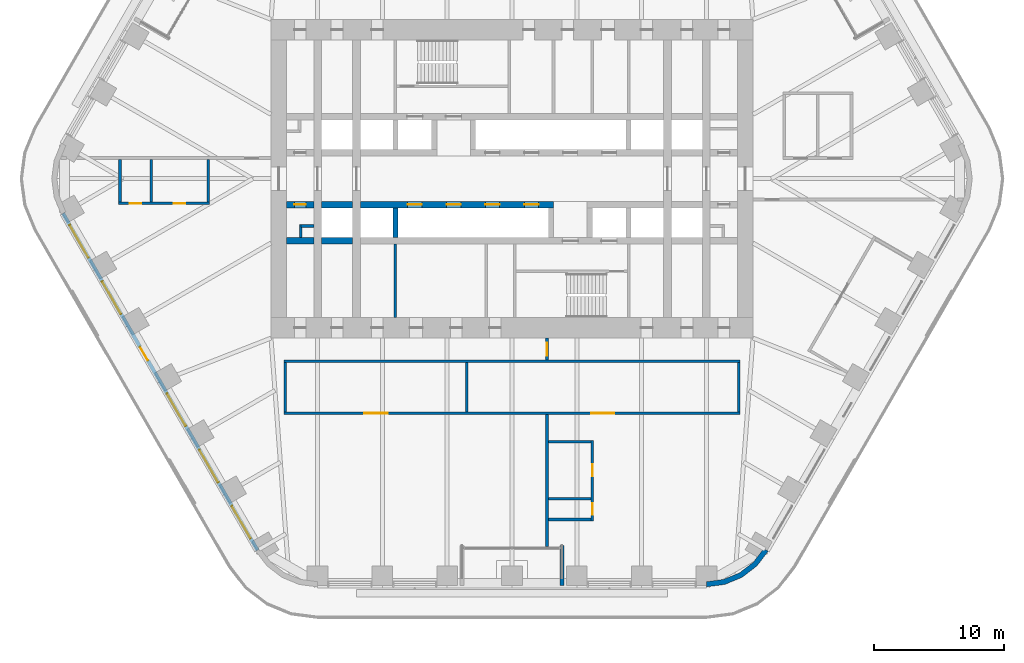
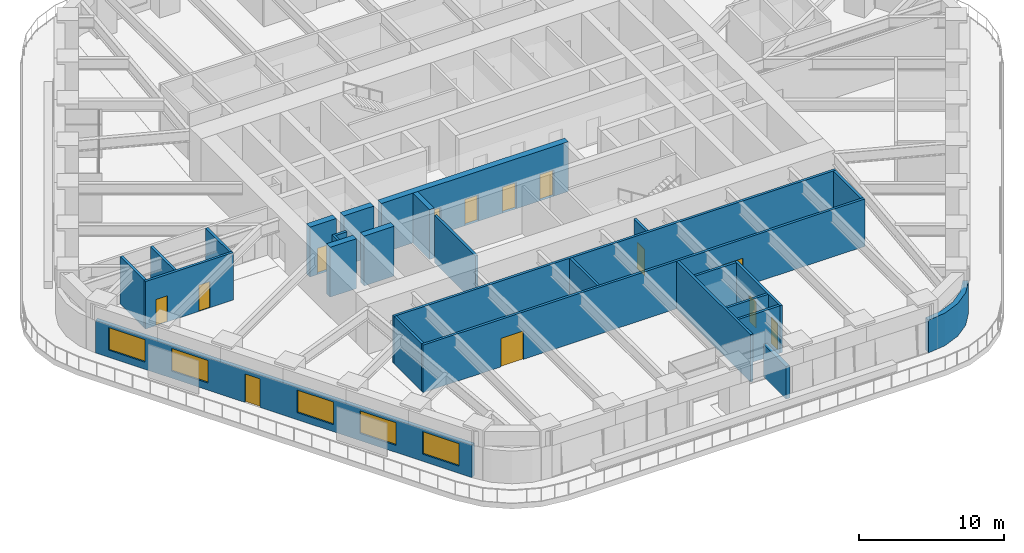
# One storey, part 17 of 24: 27 walls, 13 doors, 5 windows, 18 openings.
"""IFC4 building model written with IfcOpenShell, lengths in metres."""

from ifc_helpers import new_model, si_unit, direction, frame, frame_2d, origin, place, context, subcontext, project, spatial, polyline, rectangle, outline, extrude, material, layer, layer_set, type_object, element, fill, save


model = new_model("IFC4")

# Units and contexts
model_context = context("Model", 3, precision=1e-05, world=origin(), true_north=direction((0.0, 1.0)))
body_context = subcontext(model_context, "Body", "Model", "MODEL_VIEW")
ifc_project = project(units=[si_unit("LENGTHUNIT", "METRE"), si_unit("AREAUNIT", "SQUARE_METRE"), si_unit("VOLUMEUNIT", "CUBIC_METRE"), si_unit("PLANEANGLEUNIT", "RADIAN"), si_unit("MASSUNIT", "GRAM", prefix="KILO")], contexts=[model_context])

# Site, building, storey
site_placement = place(None, origin())
site = spatial("IfcSite", under=ifc_project, at=site_placement, CompositionType="ELEMENT")
building_placement = place(site_placement, origin())
building = spatial("IfcBuilding", under=site, at=building_placement, Name="Tarfa Lantern Tower", CompositionType="ELEMENT")
storey_placement = place(building_placement, frame((0.0, 0.0, 153.10009765625)))
storey = spatial("IfcBuildingStorey", under=building, at=storey_placement, Name="L34", CompositionType="ELEMENT", Elevation=153.10009765625)

# Wall, openings, door, windows
ifc_material_1 = material(Name="Limestone cladding on blockwork", Category="masonry")
ifc_layer_1 = layer(ifc_material_1, 0.300048828125)
ifc_layer_set_1 = layer_set([ifc_layer_1], Name="EW1 STONE-CLAD WALL 300")
wall_type_1 = type_object("IfcWallType", Name="EW1 STONE-CLAD WALL 300", PredefinedType="SOLIDWALL", material=ifc_layer_set_1)
wall_1_placement = place(storey_placement, frame((-34.655517578125, -2.675048828125, 0.0), z_axis=(0.0, 0.0, 1.0), x_axis=(0.500003084452, -0.866023622968, 0.0)))
wall_1 = element("IfcWall", 1, at=wall_1_placement, inside=storey, type_object=wall_type_1, Name="Stone wall SW", PredefinedType="SOLIDWALL", context=body_context, shape_type="SweptSolid", body=[
    extrude(rectangle(XDim=30.022216796875, YDim=0.300048828125, at=frame_2d((15.01123046875, 0.0))), origin(), (0.0, 0.0, 1.0), 2.75),
])
opening_1_placement = place(wall_1_placement, frame((1.0517578125, 0.0, 0.60009765625)))
opening_1 = element("IfcOpeningElement", 2, at=opening_1_placement, cuts=wall_1, Name="Opening W9", PredefinedType="OPENING", context=body_context, shape_type="SweptSolid", body=[
    extrude(rectangle(XDim=2.89990234375, YDim=1.89990234375, at=frame_2d((1.449951171875, 0.949951171875))), frame((0.0, 0.159912109375, 0.0), z_axis=(0.0, -1.0, 0.0), x_axis=(1.0, 0.0, 0.0)), (0.0, 0.0, 1.0), 0.320068359375),
])
opening_2_placement = place(wall_1_placement, frame((6.0556640625, 0.0, 0.60009765625)))
opening_2 = element("IfcOpeningElement", 3, at=opening_2_placement, cuts=wall_1, Name="Opening W9", PredefinedType="OPENING", context=body_context, shape_type="SweptSolid", body=[
    extrude(rectangle(XDim=2.89990234375, YDim=1.89990234375, at=frame_2d((1.449951171875, 0.949951171875))), frame((0.0, 0.159912109375, 0.0), z_axis=(0.0, -1.0, 0.0), x_axis=(1.0, 0.0, 0.0)), (0.0, 0.0, 1.0), 0.320068359375),
])
opening_3_placement = place(wall_1_placement, frame((11.9091796875, 0.0, 0.0)))
opening_3 = element("IfcOpeningElement", 4, at=opening_3_placement, cuts=wall_1, Name="Opening D50", PredefinedType="OPENING", context=body_context, shape_type="SweptSolid", body=[
    extrude(rectangle(XDim=1.199951171875, YDim=2.39990234375, at=frame_2d((0.60009765625, 1.199951171875))), frame((0.0, 0.159912109375, 0.0), z_axis=(0.0, -1.0, 0.0), x_axis=(1.0, 0.0, 0.0)), (0.0, 0.0, 1.0), 0.320068359375),
])
opening_4_placement = place(wall_1_placement, frame((16.06298828125, 0.0, 0.60009765625)))
opening_4 = element("IfcOpeningElement", 5, at=opening_4_placement, cuts=wall_1, Name="Opening W9", PredefinedType="OPENING", context=body_context, shape_type="SweptSolid", body=[
    extrude(rectangle(XDim=2.89990234375, YDim=1.89990234375, at=frame_2d((1.449951171875, 0.949951171875))), frame((0.0, 0.159912109375, 0.0), z_axis=(0.0, -1.0, 0.0), x_axis=(1.0, 0.0, 0.0)), (0.0, 0.0, 1.0), 0.320068359375),
])
opening_5_placement = place(wall_1_placement, frame((21.066650390625, 0.0, 0.60009765625)))
opening_5 = element("IfcOpeningElement", 6, at=opening_5_placement, cuts=wall_1, Name="Opening W9", PredefinedType="OPENING", context=body_context, shape_type="SweptSolid", body=[
    extrude(rectangle(XDim=2.89990234375, YDim=1.89990234375, at=frame_2d((1.449951171875, 0.949951171875))), frame((0.0, 0.159912109375, 0.0), z_axis=(0.0, -1.0, 0.0), x_axis=(1.0, 0.0, 0.0)), (0.0, 0.0, 1.0), 0.320068359375),
])
opening_6_placement = place(wall_1_placement, frame((26.0703125, 0.0, 0.60009765625)))
opening_6 = element("IfcOpeningElement", 7, at=opening_6_placement, cuts=wall_1, Name="Opening W9", PredefinedType="OPENING", context=body_context, shape_type="SweptSolid", body=[
    extrude(rectangle(XDim=2.89990234375, YDim=1.89990234375, at=frame_2d((1.449951171875, 0.949951171875))), frame((0.0, 0.159912109375, 0.0), z_axis=(0.0, -1.0, 0.0), x_axis=(1.0, 0.0, 0.0)), (0.0, 0.0, 1.0), 0.320068359375),
])
ifc_material_2 = material(Name="Aluminium framed glazed door", Category="aluminium")
door_type_1 = type_object("IfcDoorType", Name="BE3 BALCONY DOOR 1200x2400", OperationType="SINGLE_SWING_RIGHT", PredefinedType="DOOR", material=ifc_material_2)
door_1_placement = place(opening_3_placement, origin())
door_1 = element("IfcDoor", 8, at=door_1_placement, inside=storey, type_object=door_type_1, Name="Balcony door SW", OperationType="SINGLE_SWING_RIGHT", OverallHeight=2.39990234375, OverallWidth=1.199951171875, PredefinedType="DOOR", context=body_context, shape_type="SweptSolid", body=[
    extrude(rectangle(XDim=1.199951171875, YDim=2.39990234375, at=frame_2d((0.60009765625, 1.199951171875))), frame((0.0, 0.02490234375, 0.0), z_axis=(0.0, -1.0, 0.0), x_axis=(1.0, 0.0, 0.0)), (0.0, 0.0, 1.0), 0.050048828125),
])
fill(opening_3, door_1)
ifc_material_3 = material(Name="Aluminium frame, double glazed", Category="aluminium")
window_type = type_object("IfcWindowType", Name="W9 FULL-HEIGHT GLAZING 2900x1900", PartitioningType="SINGLE_PANEL", PredefinedType="WINDOW", material=ifc_material_3)
window_1_placement = place(opening_1_placement, origin())
window_1 = element("IfcWindow", 9, at=window_1_placement, inside=storey, type_object=window_type, Name="Window SW 1", OverallHeight=1.89990234375, OverallWidth=2.89990234375, PartitioningType="SINGLE_PANEL", PredefinedType="WINDOW", context=body_context, shape_type="SweptSolid", body=[
    extrude(rectangle(XDim=2.89990234375, YDim=1.89990234375, at=frame_2d((1.449951171875, 0.949951171875))), frame((0.0, 0.030029296875, 0.0), z_axis=(0.0, -1.0, 0.0), x_axis=(1.0, 0.0, 0.0)), (0.0, 0.0, 1.0), 0.06005859375),
])
fill(opening_1, window_1)
window_2_placement = place(opening_2_placement, origin())
window_2 = element("IfcWindow", 10, at=window_2_placement, inside=storey, type_object=window_type, Name="Window SW 2", OverallHeight=1.89990234375, OverallWidth=2.89990234375, PartitioningType="SINGLE_PANEL", PredefinedType="WINDOW", context=body_context, shape_type="SweptSolid", body=[
    extrude(rectangle(XDim=2.89990234375, YDim=1.89990234375, at=frame_2d((1.449951171875, 0.949951171875))), frame((0.0, 0.030029296875, 0.0), z_axis=(0.0, -1.0, 0.0), x_axis=(1.0, 0.0, 0.0)), (0.0, 0.0, 1.0), 0.06005859375),
])
fill(opening_2, window_2)
window_3_placement = place(opening_4_placement, origin())
window_3 = element("IfcWindow", 11, at=window_3_placement, inside=storey, type_object=window_type, Name="Window SW 4", OverallHeight=1.89990234375, OverallWidth=2.89990234375, PartitioningType="SINGLE_PANEL", PredefinedType="WINDOW", context=body_context, shape_type="SweptSolid", body=[
    extrude(rectangle(XDim=2.89990234375, YDim=1.89990234375, at=frame_2d((1.449951171875, 0.949951171875))), frame((0.0, 0.030029296875, 0.0), z_axis=(0.0, -1.0, 0.0), x_axis=(1.0, 0.0, 0.0)), (0.0, 0.0, 1.0), 0.06005859375),
])
fill(opening_4, window_3)
window_4_placement = place(opening_5_placement, origin())
window_4 = element("IfcWindow", 12, at=window_4_placement, inside=storey, type_object=window_type, Name="Window SW 5", OverallHeight=1.89990234375, OverallWidth=2.89990234375, PartitioningType="SINGLE_PANEL", PredefinedType="WINDOW", context=body_context, shape_type="SweptSolid", body=[
    extrude(rectangle(XDim=2.89990234375, YDim=1.89990234375, at=frame_2d((1.449951171875, 0.949951171875))), frame((0.0, 0.030029296875, 0.0), z_axis=(0.0, -1.0, 0.0), x_axis=(1.0, 0.0, 0.0)), (0.0, 0.0, 1.0), 0.06005859375),
])
fill(opening_5, window_4)
window_5_placement = place(opening_6_placement, origin())
window_5 = element("IfcWindow", 13, at=window_5_placement, inside=storey, type_object=window_type, Name="Window SW 6", OverallHeight=1.89990234375, OverallWidth=2.89990234375, PartitioningType="SINGLE_PANEL", PredefinedType="WINDOW", context=body_context, shape_type="SweptSolid", body=[
    extrude(rectangle(XDim=2.89990234375, YDim=1.89990234375, at=frame_2d((1.449951171875, 0.949951171875))), frame((0.0, 0.030029296875, 0.0), z_axis=(0.0, -1.0, 0.0), x_axis=(1.0, 0.0, 0.0)), (0.0, 0.0, 1.0), 0.06005859375),
])
fill(opening_6, window_5)

# Walls
wall_2_placement = place(storey_placement, frame((3.853759765625, -31.39990234375, 0.0), z_axis=(0.0, 0.0, 1.0), x_axis=(0.0, 1.0, 0.0)))
element("IfcWall", 14, at=wall_2_placement, inside=storey, type_object=wall_type_1, Name="Loggia return S 2", PredefinedType="SOLIDWALL", context=body_context, shape_type="SweptSolid", body=[
    extrude(rectangle(XDim=3.099853515625, YDim=0.300048828125, at=frame_2d((1.5498046875, 0.0))), origin(), (0.0, 0.0, 1.0), 2.75),
])
ifc_layer_2 = layer(ifc_material_1, 0.39990234375)
ifc_layer_set_2 = layer_set([ifc_layer_2], Name="EW2 CURVED STONE CORNER 400")
wall_type_2 = type_object("IfcWallType", Name="EW2 CURVED STONE CORNER 400", PredefinedType="SOLIDWALL", material=ifc_layer_set_2)
wall_3_placement = place(storey_placement, origin())
element("IfcWall", 15, at=wall_3_placement, inside=storey, type_object=wall_type_2, Name="Stone corner S-SE", PredefinedType="SOLIDWALL", context=body_context, shape_type="SweptSolid", body=[
    extrude(outline(polyline([(15.010986328125, -31.5), (16.4345703125, -31.3125), (17.760986328125, -30.76318359375), (18.900146484375, -29.88916015625), (19.774169921875, -28.75), (19.427734375, -28.550048828125), (18.617431640625, -29.606201171875), (17.56103515625, -30.416748046875), (16.3310546875, -30.92626953125), (15.010986328125, -31.10009765625), (15.010986328125, -31.5)])), origin(), (0.0, 0.0, 1.0), 2.75),
])
ifc_material_4 = material(Name="Concrete blockwork", Category="masonry")
ifc_layer_3 = layer(ifc_material_4, 0.199951171875)
ifc_layer_set_3 = layer_set([ifc_layer_3], Name="IW1 BLOCKWORK PARTITION 200 EI 120")
wall_type_3 = type_object("IfcWallType", Name="IW1 BLOCKWORK PARTITION 200 EI 120", PredefinedType="PARTITIONING", material=ifc_layer_set_3)
wall_4_placement = place(storey_placement, frame((-9.0, -5.050048828125, 0.0), z_axis=(0.0, 0.0, 1.0), x_axis=(0.0, -1.0, 0.0)))
element("IfcWall", 16, at=wall_4_placement, inside=storey, type_object=wall_type_3, Name="Core partition", PredefinedType="PARTITIONING", context=body_context, shape_type="SweptSolid", body=[
    extrude(rectangle(XDim=5.64990234375, YDim=0.199951171875, at=frame_2d((2.824951171875, 0.0))), origin(), (0.0, 0.0, 1.0), 4.0),
])
for number, where, z_axis, x_axis, name in (
    (17, (-15.300048828125, -3.64990234375, 0.0), (0.0, 0.0, 1.0), (-1.0, 0.0, 0.0), "Core partition"),
    (18, (-16.300048828125, -3.550048828125, 0.0), (0.0, 0.0, 1.0), (0.0, -1.0, 0.0), "Core partition"),
):
    element("IfcWall", number, at=place(storey_placement, frame(where, z_axis=z_axis, x_axis=x_axis)), inside=storey, type_object=wall_type_3, Name=name, PredefinedType="PARTITIONING", context=body_context, shape_type="SweptSolid", body=[
        extrude(rectangle(XDim=1.0, YDim=0.199951171875, at=frame_2d((0.5, 0.0))), origin(), (0.0, 0.0, 1.0), 4.0),
    ])
ifc_material_5 = material(Name="Gypsum board on steel studs", Category="steel")
ifc_layer_4 = layer(ifc_material_5, 0.2099609375)
ifc_layer_set_4 = layer_set([ifc_layer_4], Name="IW2 ACOUSTIC PARTITION 200")
wall_type_4 = type_object("IfcWallType", Name="IW2 ACOUSTIC PARTITION 200", PredefinedType="PARTITIONING", material=ifc_layer_set_4)
wall_5_placement = place(storey_placement, frame((17.60009765625, -14.10009765625, 0.0), z_axis=(0.0, 0.0, 1.0), x_axis=(-1.0, 0.0, 0.0)))
element("IfcWall", 19, at=wall_5_placement, inside=storey, type_object=wall_type_4, Name="Partition", PredefinedType="PARTITIONING", context=body_context, shape_type="SweptSolid", body=[
    extrude(rectangle(XDim=35.2001953125, YDim=0.199951171875, at=frame_2d((17.60009765625, 0.0))), origin(), (0.0, 0.0, 1.0), 4.0),
])

# Wall, openings, doors
wall_6_placement = place(storey_placement, frame((17.60009765625, -18.10009765625, 0.0), z_axis=(0.0, 0.0, 1.0), x_axis=(-1.0, 0.0, 0.0)))
wall_6 = element("IfcWall", 20, at=wall_6_placement, inside=storey, type_object=wall_type_4, Name="Partition", PredefinedType="PARTITIONING", context=body_context, shape_type="SweptSolid", body=[
    extrude(rectangle(XDim=35.2001953125, YDim=0.199951171875, at=frame_2d((17.60009765625, 0.0))), origin(), (0.0, 0.0, 1.0), 4.0),
])
opening_7_placement = place(wall_6_placement, frame((9.699951171875, 0.0, 0.0)))
opening_7 = element("IfcOpeningElement", 21, at=opening_7_placement, cuts=wall_6, Name="Opening D39", PredefinedType="OPENING", context=body_context, shape_type="SweptSolid", body=[
    extrude(rectangle(XDim=1.800048828125, YDim=2.39990234375, at=frame_2d((0.89990234375, 1.199951171875))), frame((0.0, 0.10986328125, 0.0), z_axis=(0.0, -1.0, 0.0), x_axis=(1.0, 0.0, 0.0)), (0.0, 0.0, 1.0), 0.219970703125),
])
opening_8_placement = place(wall_6_placement, frame((27.199951171875, 0.0, 0.0)))
opening_8 = element("IfcOpeningElement", 22, at=opening_8_placement, cuts=wall_6, Name="Opening D40", PredefinedType="OPENING", context=body_context, shape_type="SweptSolid", body=[
    extrude(rectangle(XDim=1.800048828125, YDim=2.39990234375, at=frame_2d((0.89990234375, 1.199951171875))), frame((0.0, 0.10986328125, 0.0), z_axis=(0.0, -1.0, 0.0), x_axis=(1.0, 0.0, 0.0)), (0.0, 0.0, 1.0), 0.219970703125),
])
ifc_material_6 = material(Name="Timber door", Category="wood")
door_type_2 = type_object("IfcDoorType", Name="DR2 ROOM DOOR 1800x2400", OperationType="DOUBLE_DOOR_SINGLE_SWING", PredefinedType="DOOR", material=ifc_material_6)
door_2_placement = place(opening_7_placement, frame((1.800048828125, 0.0, 0.0), z_axis=(0.0, 0.0, 1.0), x_axis=(-1.0, 0.0, 0.0)))
door_2 = element("IfcDoor", 23, at=door_2_placement, inside=storey, type_object=door_type_2, Name="Pantry door", OperationType="DOUBLE_DOOR_SINGLE_SWING", OverallHeight=2.39990234375, OverallWidth=1.800048828125, PredefinedType="DOOR", context=body_context, shape_type="SweptSolid", body=[
    extrude(rectangle(XDim=1.800048828125, YDim=2.39990234375, at=frame_2d((0.89990234375, 1.199951171875))), frame((0.0, 0.02490234375, 0.0), z_axis=(0.0, -1.0, 0.0), x_axis=(1.0, 0.0, 0.0)), (0.0, 0.0, 1.0), 0.050048828125),
])
fill(opening_7, door_2)
door_3_placement = place(opening_8_placement, frame((1.800048828125, 0.0, 0.0), z_axis=(0.0, 0.0, 1.0), x_axis=(-1.0, 0.0, 0.0)))
door_3 = element("IfcDoor", 24, at=door_3_placement, inside=storey, type_object=door_type_2, Name="Print room door", OperationType="DOUBLE_DOOR_SINGLE_SWING", OverallHeight=2.39990234375, OverallWidth=1.800048828125, PredefinedType="DOOR", context=body_context, shape_type="SweptSolid", body=[
    extrude(rectangle(XDim=1.800048828125, YDim=2.39990234375, at=frame_2d((0.89990234375, 1.199951171875))), frame((0.0, 0.02490234375, 0.0), z_axis=(0.0, -1.0, 0.0), x_axis=(1.0, 0.0, 0.0)), (0.0, 0.0, 1.0), 0.050048828125),
])
fill(opening_8, door_3)

# Walls
for number, where, z_axis, x_axis, name in (
    (25, (17.5, -14.199951171875, 0.0), (0.0, 0.0, 1.0), (0.0, -1.0, 0.0), "Partition"),
    (26, (-3.5, -14.199951171875, 0.0), (0.0, 0.0, 1.0), (0.0, -1.0, 0.0), "Partition"),
    (27, (-17.5, -14.199951171875, 0.0), (0.0, 0.0, 1.0), (0.0, -1.0, 0.0), "Partition"),
):
    element("IfcWall", number, at=place(storey_placement, frame(where, z_axis=z_axis, x_axis=x_axis)), inside=storey, type_object=wall_type_4, Name=name, PredefinedType="PARTITIONING", context=body_context, shape_type="SweptSolid", body=[
        extrude(rectangle(XDim=3.800048828125, YDim=0.199951171875, at=frame_2d((1.89990234375, 0.0))), origin(), (0.0, 0.0, 1.0), 4.0),
    ])

# Wall, opening, door
wall_7_placement = place(storey_placement, frame((2.699951171875, -12.300048828125, 0.0), z_axis=(0.0, 0.0, 1.0), x_axis=(0.0, -1.0, 0.0)))
wall_7 = element("IfcWall", 28, at=wall_7_placement, inside=storey, type_object=wall_type_4, Name="Partition", PredefinedType="PARTITIONING", context=body_context, shape_type="SweptSolid", body=[
    extrude(rectangle(XDim=1.699951171875, YDim=0.199951171875, at=frame_2d((0.85009765625, 0.0))), origin(), (0.0, 0.0, 1.0), 4.0),
])
opening_9_placement = place(wall_7_placement, frame((0.35009765625, 0.0, 0.0)))
opening_9 = element("IfcOpeningElement", 29, at=opening_9_placement, cuts=wall_7, Name="Opening D46", PredefinedType="OPENING", context=body_context, shape_type="SweptSolid", body=[
    extrude(rectangle(XDim=1.0, YDim=2.199951171875, at=frame_2d((0.5, 1.10009765625))), frame((0.0, 0.10986328125, 0.0), z_axis=(0.0, -1.0, 0.0), x_axis=(1.0, 0.0, 0.0)), (0.0, 0.0, 1.0), 0.219970703125),
])
door_type_3 = type_object("IfcDoorType", Name="DR1 ROOM DOOR 1000x2200", OperationType="SINGLE_SWING_LEFT", PredefinedType="DOOR", material=ifc_material_6)
door_4_placement = place(opening_9_placement, origin())
door_4 = element("IfcDoor", 30, at=door_4_placement, inside=storey, type_object=door_type_3, Name="Zone door", OperationType="SINGLE_SWING_LEFT", OverallHeight=2.199951171875, OverallWidth=1.0, PredefinedType="DOOR", context=body_context, shape_type="SweptSolid", body=[
    extrude(rectangle(XDim=1.0, YDim=2.199951171875, at=frame_2d((0.5, 1.10009765625))), frame((0.0, 0.02490234375, 0.0), z_axis=(0.0, -1.0, 0.0), x_axis=(1.0, 0.0, 0.0)), (0.0, 0.0, 1.0), 0.050048828125),
])
fill(opening_9, door_4)

# Wall
wall_8_placement = place(storey_placement, frame((2.699951171875, -18.199951171875, 0.0), z_axis=(0.0, 0.0, 1.0), x_axis=(0.0, -1.0, 0.0)))
element("IfcWall", 31, at=wall_8_placement, inside=storey, type_object=wall_type_4, Name="Partition", PredefinedType="PARTITIONING", context=body_context, shape_type="SweptSolid", body=[
    extrude(rectangle(XDim=10.199951171875, YDim=0.199951171875, at=frame_2d((5.10009765625, 0.0))), origin(), (0.0, 0.0, 1.0), 4.0),
])

# Wall, openings, doors
wall_9_placement = place(storey_placement, frame((6.199951171875, -20.199951171875, 0.0), z_axis=(0.0, 0.0, 1.0), x_axis=(0.0, -1.0, 0.0)))
wall_9 = element("IfcWall", 32, at=wall_9_placement, inside=storey, type_object=wall_type_4, Name="Partition", PredefinedType="PARTITIONING", context=body_context, shape_type="SweptSolid", body=[
    extrude(rectangle(XDim=6.199951171875, YDim=0.199951171875, at=frame_2d((3.10009765625, 0.0))), origin(), (0.0, 0.0, 1.0), 4.0),
])
opening_10_placement = place(wall_9_placement, frame((1.85009765625, 0.0, 0.0)))
opening_10 = element("IfcOpeningElement", 33, at=opening_10_placement, cuts=wall_9, Name="Opening D41", PredefinedType="OPENING", context=body_context, shape_type="SweptSolid", body=[
    extrude(rectangle(XDim=0.89990234375, YDim=2.199951171875, at=frame_2d((0.449951171875, 1.10009765625))), frame((0.0, 0.10986328125, 0.0), z_axis=(0.0, -1.0, 0.0), x_axis=(1.0, 0.0, 0.0)), (0.0, 0.0, 1.0), 0.219970703125),
])
opening_11_placement = place(wall_9_placement, frame((4.85009765625, 0.0, 0.0)))
opening_11 = element("IfcOpeningElement", 34, at=opening_11_placement, cuts=wall_9, Name="Opening D42", PredefinedType="OPENING", context=body_context, shape_type="SweptSolid", body=[
    extrude(rectangle(XDim=0.89990234375, YDim=2.199951171875, at=frame_2d((0.449951171875, 1.10009765625))), frame((0.0, 0.10986328125, 0.0), z_axis=(0.0, -1.0, 0.0), x_axis=(1.0, 0.0, 0.0)), (0.0, 0.0, 1.0), 0.219970703125),
])
door_type_4 = type_object("IfcDoorType", Name="DR3 ROOM DOOR 900x2200", OperationType="SINGLE_SWING_LEFT", PredefinedType="DOOR", material=ifc_material_6)
door_5_placement = place(opening_10_placement, frame((0.89990234375, 0.0, 0.0), z_axis=(0.0, 0.0, 1.0), x_axis=(-1.0, 0.0, 0.0)))
door_5 = element("IfcDoor", 35, at=door_5_placement, inside=storey, type_object=door_type_4, Name="Meeting room door", OperationType="SINGLE_SWING_LEFT", OverallHeight=2.199951171875, OverallWidth=0.89990234375, PredefinedType="DOOR", context=body_context, shape_type="SweptSolid", body=[
    extrude(rectangle(XDim=0.89990234375, YDim=2.199951171875, at=frame_2d((0.449951171875, 1.10009765625))), frame((0.0, 0.02490234375, 0.0), z_axis=(0.0, -1.0, 0.0), x_axis=(1.0, 0.0, 0.0)), (0.0, 0.0, 1.0), 0.050048828125),
])
fill(opening_10, door_5)
door_6_placement = place(opening_11_placement, frame((0.89990234375, 0.0, 0.0), z_axis=(0.0, 0.0, 1.0), x_axis=(-1.0, 0.0, 0.0)))
door_6 = element("IfcDoor", 36, at=door_6_placement, inside=storey, type_object=door_type_4, Name="Phone booth door", OperationType="SINGLE_SWING_RIGHT", OverallHeight=2.199951171875, OverallWidth=0.89990234375, PredefinedType="DOOR", context=body_context, shape_type="SweptSolid", body=[
    extrude(rectangle(XDim=0.89990234375, YDim=2.199951171875, at=frame_2d((0.449951171875, 1.10009765625))), frame((0.0, 0.02490234375, 0.0), z_axis=(0.0, -1.0, 0.0), x_axis=(1.0, 0.0, 0.0)), (0.0, 0.0, 1.0), 0.050048828125),
])
fill(opening_11, door_6)

# Walls
for number, where, z_axis, x_axis, name in (
    (37, (2.800048828125, -20.300048828125, 0.0), (0.0, 0.0, 1.0), (1.0, 0.0, 0.0), "Partition"),
    (38, (2.800048828125, -24.699951171875, 0.0), (0.0, 0.0, 1.0), (1.0, 0.0, 0.0), "Partition"),
    (39, (2.800048828125, -26.300048828125, 0.0), (0.0, 0.0, 1.0), (1.0, 0.0, 0.0), "Partition"),
):
    element("IfcWall", number, at=place(storey_placement, frame(where, z_axis=z_axis, x_axis=x_axis)), inside=storey, type_object=wall_type_4, Name=name, PredefinedType="PARTITIONING", context=body_context, shape_type="SweptSolid", body=[
        extrude(rectangle(XDim=3.300048828125, YDim=0.199951171875, at=frame_2d((1.64990234375, 0.0))), origin(), (0.0, 0.0, 1.0), 4.0),
    ])

# Wall, openings, doors
wall_10_placement = place(storey_placement, frame((-23.35107421875, -1.89990234375, 0.0), z_axis=(0.0, 0.0, 1.0), x_axis=(-1.0, 0.0, 0.0)))
wall_10 = element("IfcWall", 40, at=wall_10_placement, inside=storey, type_object=wall_type_4, Name="Partition", PredefinedType="PARTITIONING", context=body_context, shape_type="SweptSolid", body=[
    extrude(rectangle(XDim=7.0, YDim=0.199951171875, at=frame_2d((3.5, 0.0))), origin(), (0.0, 0.0, 1.0), 4.0),
])
opening_12_placement = place(wall_10_placement, frame((1.85009765625, 0.0, 0.0)))
opening_12 = element("IfcOpeningElement", 41, at=opening_12_placement, cuts=wall_10, Name="Opening D43", PredefinedType="OPENING", context=body_context, shape_type="SweptSolid", body=[
    extrude(rectangle(XDim=0.89990234375, YDim=2.199951171875, at=frame_2d((0.449951171875, 1.10009765625))), frame((0.0, 0.10986328125, 0.0), z_axis=(0.0, -1.0, 0.0), x_axis=(1.0, 0.0, 0.0)), (0.0, 0.0, 1.0), 0.219970703125),
])
opening_13_placement = place(wall_10_placement, frame((5.25, 0.0, 0.0)))
opening_13 = element("IfcOpeningElement", 42, at=opening_13_placement, cuts=wall_10, Name="Opening D44", PredefinedType="OPENING", context=body_context, shape_type="SweptSolid", body=[
    extrude(rectangle(XDim=0.89990234375, YDim=2.199951171875, at=frame_2d((0.449951171875, 1.10009765625))), frame((0.0, 0.10986328125, 0.0), z_axis=(0.0, -1.0, 0.0), x_axis=(1.0, 0.0, 0.0)), (0.0, 0.0, 1.0), 0.219970703125),
])
door_7_placement = place(opening_12_placement, frame((0.89990234375, 0.0, 0.0), z_axis=(0.0, 0.0, 1.0), x_axis=(-1.0, 0.0, 0.0)))
door_7 = element("IfcDoor", 43, at=door_7_placement, inside=storey, type_object=door_type_4, Name="Project room door", OperationType="SINGLE_SWING_LEFT", OverallHeight=2.199951171875, OverallWidth=0.89990234375, PredefinedType="DOOR", context=body_context, shape_type="SweptSolid", body=[
    extrude(rectangle(XDim=0.89990234375, YDim=2.199951171875, at=frame_2d((0.449951171875, 1.10009765625))), frame((0.0, 0.02490234375, 0.0), z_axis=(0.0, -1.0, 0.0), x_axis=(1.0, 0.0, 0.0)), (0.0, 0.0, 1.0), 0.050048828125),
])
fill(opening_12, door_7)
door_8_placement = place(opening_13_placement, frame((0.89990234375, 0.0, 0.0), z_axis=(0.0, 0.0, 1.0), x_axis=(-1.0, 0.0, 0.0)))
door_8 = element("IfcDoor", 44, at=door_8_placement, inside=storey, type_object=door_type_4, Name="Print and copy room door", OperationType="SINGLE_SWING_RIGHT", OverallHeight=2.199951171875, OverallWidth=0.89990234375, PredefinedType="DOOR", context=body_context, shape_type="SweptSolid", body=[
    extrude(rectangle(XDim=0.89990234375, YDim=2.199951171875, at=frame_2d((0.449951171875, 1.10009765625))), frame((0.0, 0.02490234375, 0.0), z_axis=(0.0, -1.0, 0.0), x_axis=(1.0, 0.0, 0.0)), (0.0, 0.0, 1.0), 0.050048828125),
])
fill(opening_13, door_8)

# Walls
for number, where, z_axis, x_axis, name in (
    (45, (-23.450927734375, 1.5, 0.0), (0.0, 0.0, 1.0), (0.0, -1.0, 0.0), "Partition"),
    (46, (-27.85107421875, 1.5, 0.0), (0.0, 0.0, 1.0), (0.0, -1.0, 0.0), "Partition"),
    (47, (-30.2509765625, 1.5, 0.0), (0.0, 0.0, 1.0), (0.0, -1.0, 0.0), "Partition"),
):
    element("IfcWall", number, at=place(storey_placement, frame(where, z_axis=z_axis, x_axis=x_axis)), inside=storey, type_object=wall_type_4, Name=name, PredefinedType="PARTITIONING", context=body_context, shape_type="SweptSolid", body=[
        extrude(rectangle(XDim=3.300048828125, YDim=0.199951171875, at=frame_2d((1.64990234375, 0.0))), origin(), (0.0, 0.0, 1.0), 4.0),
    ])

# Wall, openings, doors
ifc_material_7 = material(Name="Concrete C80/95", Category="concrete")
ifc_layer_5 = layer(ifc_material_7, 0.5)
ifc_layer_set_5 = layer_set([ifc_layer_5], Name="SW5 CORE WALL 500")
wall_type_5 = type_object("IfcWallType", Name="SW5 CORE WALL 500", PredefinedType="SHEAR", material=ifc_layer_set_5)
wall_11_placement = place(storey_placement, frame((3.199951171875, -2.0, 0.0), z_axis=(0.0, 0.0, 1.0), x_axis=(-1.0, 0.0, 0.0)))
wall_11 = element("IfcWall", 48, at=wall_11_placement, inside=storey, type_object=wall_type_5, Name="Core wall lobby east S", PredefinedType="SHEAR", context=body_context, shape_type="SweptSolid", body=[
    extrude(rectangle(XDim=14.89990234375, YDim=0.5, at=frame_2d((7.449951171875, 0.0))), origin(), (0.0, 0.0, 1.0), 4.199951171875),
])
opening_14_placement = place(wall_11_placement, frame((1.14990234375, 0.0, 0.0)))
opening_14 = element("IfcOpeningElement", 49, at=opening_14_placement, cuts=wall_11, Name="Opening LD07", PredefinedType="OPENING", context=body_context, shape_type="SweptSolid", body=[
    extrude(rectangle(XDim=1.10009765625, YDim=2.199951171875, at=frame_2d((0.550048828125, 1.10009765625))), frame((0.0, 0.260009765625, 0.0), z_axis=(0.0, -1.0, 0.0), x_axis=(1.0, 0.0, 0.0)), (0.0, 0.0, 1.0), 0.52001953125),
])
opening_15_placement = place(wall_11_placement, frame((4.14990234375, 0.0, 0.0)))
opening_15 = element("IfcOpeningElement", 50, at=opening_15_placement, cuts=wall_11, Name="Opening LD08", PredefinedType="OPENING", context=body_context, shape_type="SweptSolid", body=[
    extrude(rectangle(XDim=1.10009765625, YDim=2.199951171875, at=frame_2d((0.550048828125, 1.10009765625))), frame((0.0, 0.260009765625, 0.0), z_axis=(0.0, -1.0, 0.0), x_axis=(1.0, 0.0, 0.0)), (0.0, 0.0, 1.0), 0.52001953125),
])
opening_16_placement = place(wall_11_placement, frame((7.14990234375, 0.0, 0.0)))
opening_16 = element("IfcOpeningElement", 51, at=opening_16_placement, cuts=wall_11, Name="Opening LD09", PredefinedType="OPENING", context=body_context, shape_type="SweptSolid", body=[
    extrude(rectangle(XDim=1.10009765625, YDim=2.199951171875, at=frame_2d((0.550048828125, 1.10009765625))), frame((0.0, 0.260009765625, 0.0), z_axis=(0.0, -1.0, 0.0), x_axis=(1.0, 0.0, 0.0)), (0.0, 0.0, 1.0), 0.52001953125),
])
opening_17_placement = place(wall_11_placement, frame((10.14990234375, 0.0, 0.0)))
opening_17 = element("IfcOpeningElement", 52, at=opening_17_placement, cuts=wall_11, Name="Opening LD10", PredefinedType="OPENING", context=body_context, shape_type="SweptSolid", body=[
    extrude(rectangle(XDim=1.10009765625, YDim=2.199951171875, at=frame_2d((0.550048828125, 1.10009765625))), frame((0.0, 0.260009765625, 0.0), z_axis=(0.0, -1.0, 0.0), x_axis=(1.0, 0.0, 0.0)), (0.0, 0.0, 1.0), 0.52001953125),
])
ifc_material_8 = material(Name="Stainless steel lift door", Category="steel")
door_type_5 = type_object("IfcDoorType", Name="LD2 LIFT LANDING DOOR 1100x2200", OperationType="SLIDING_TO_LEFT", PredefinedType="DOOR", material=ifc_material_8)
door_9_placement = place(opening_14_placement, frame((1.10009765625, 0.0, 0.0), z_axis=(0.0, 0.0, 1.0), x_axis=(-1.0, 0.0, 0.0)))
door_9 = element("IfcDoor", 53, at=door_9_placement, inside=storey, type_object=door_type_5, Name="Landing door PB5", OperationType="SLIDING_TO_LEFT", OverallHeight=2.199951171875, OverallWidth=1.10009765625, PredefinedType="DOOR", context=body_context, shape_type="SweptSolid", body=[
    extrude(rectangle(XDim=1.10009765625, YDim=2.199951171875, at=frame_2d((0.550048828125, 1.10009765625))), frame((0.0, 0.02490234375, 0.0), z_axis=(0.0, -1.0, 0.0), x_axis=(1.0, 0.0, 0.0)), (0.0, 0.0, 1.0), 0.050048828125),
])
fill(opening_14, door_9)
door_10_placement = place(opening_15_placement, frame((1.10009765625, 0.0, 0.0), z_axis=(0.0, 0.0, 1.0), x_axis=(-1.0, 0.0, 0.0)))
door_10 = element("IfcDoor", 54, at=door_10_placement, inside=storey, type_object=door_type_5, Name="Landing door PB6", OperationType="SLIDING_TO_LEFT", OverallHeight=2.199951171875, OverallWidth=1.10009765625, PredefinedType="DOOR", context=body_context, shape_type="SweptSolid", body=[
    extrude(rectangle(XDim=1.10009765625, YDim=2.199951171875, at=frame_2d((0.550048828125, 1.10009765625))), frame((0.0, 0.02490234375, 0.0), z_axis=(0.0, -1.0, 0.0), x_axis=(1.0, 0.0, 0.0)), (0.0, 0.0, 1.0), 0.050048828125),
])
fill(opening_15, door_10)
door_11_placement = place(opening_16_placement, frame((1.10009765625, 0.0, 0.0), z_axis=(0.0, 0.0, 1.0), x_axis=(-1.0, 0.0, 0.0)))
door_11 = element("IfcDoor", 55, at=door_11_placement, inside=storey, type_object=door_type_5, Name="Landing door PB7", OperationType="SLIDING_TO_LEFT", OverallHeight=2.199951171875, OverallWidth=1.10009765625, PredefinedType="DOOR", context=body_context, shape_type="SweptSolid", body=[
    extrude(rectangle(XDim=1.10009765625, YDim=2.199951171875, at=frame_2d((0.550048828125, 1.10009765625))), frame((0.0, 0.02490234375, 0.0), z_axis=(0.0, -1.0, 0.0), x_axis=(1.0, 0.0, 0.0)), (0.0, 0.0, 1.0), 0.050048828125),
])
fill(opening_16, door_11)
door_12_placement = place(opening_17_placement, frame((1.10009765625, 0.0, 0.0), z_axis=(0.0, 0.0, 1.0), x_axis=(-1.0, 0.0, 0.0)))
door_12 = element("IfcDoor", 56, at=door_12_placement, inside=storey, type_object=door_type_5, Name="Landing door PB8", OperationType="SLIDING_TO_LEFT", OverallHeight=2.199951171875, OverallWidth=1.10009765625, PredefinedType="DOOR", context=body_context, shape_type="SweptSolid", body=[
    extrude(rectangle(XDim=1.10009765625, YDim=2.199951171875, at=frame_2d((0.550048828125, 1.10009765625))), frame((0.0, 0.02490234375, 0.0), z_axis=(0.0, -1.0, 0.0), x_axis=(1.0, 0.0, 0.0)), (0.0, 0.0, 1.0), 0.050048828125),
])
fill(opening_17, door_12)

# Wall
wall_12_placement = place(storey_placement, frame((-12.300048828125, -2.0, 0.0), z_axis=(0.0, 0.0, 1.0), x_axis=(-1.0, 0.0, 0.0)))
element("IfcWall", 57, at=wall_12_placement, inside=storey, type_object=wall_type_5, Name="Core wall lobby east S", PredefinedType="SHEAR", context=body_context, shape_type="SweptSolid", body=[
    extrude(rectangle(XDim=2.39990234375, YDim=0.5, at=frame_2d((1.199951171875, 0.0))), origin(), (0.0, 0.0, 1.0), 4.199951171875),
])

# Wall, opening, door
wall_13_placement = place(storey_placement, frame((-15.300048828125, -2.0, 0.0), z_axis=(0.0, 0.0, 1.0), x_axis=(-1.0, 0.0, 0.0)))
wall_13 = element("IfcWall", 58, at=wall_13_placement, inside=storey, type_object=wall_type_5, Name="Core wall lobby east S", PredefinedType="SHEAR", context=body_context, shape_type="SweptSolid", body=[
    extrude(rectangle(XDim=2.099853515625, YDim=0.5, at=frame_2d((1.0498046875, 0.0))), origin(), (0.0, 0.0, 1.0), 4.199951171875),
])
opening_18_placement = place(wall_13_placement, frame((0.60009765625, 0.0, 0.0)))
opening_18 = element("IfcOpeningElement", 59, at=opening_18_placement, cuts=wall_13, Name="Opening D18", PredefinedType="OPENING", context=body_context, shape_type="SweptSolid", body=[
    extrude(rectangle(XDim=0.89990234375, YDim=2.199951171875, at=frame_2d((0.449951171875, 1.10009765625))), frame((0.0, 0.260009765625, 0.0), z_axis=(0.0, -1.0, 0.0), x_axis=(1.0, 0.0, 0.0)), (0.0, 0.0, 1.0), 0.52001953125),
])
ifc_material_9 = material(Name="Steel fire door", Category="steel")
door_type_6 = type_object("IfcDoorType", Name="DF6 SERVICE ROOM DOOR 900x2200", OperationType="SINGLE_SWING_LEFT", PredefinedType="DOOR", material=ifc_material_9)
door_13_placement = place(opening_18_placement, origin())
door_13 = element("IfcDoor", 60, at=door_13_placement, inside=storey, type_object=door_type_6, Name="Service room door", OperationType="SINGLE_SWING_LEFT", OverallHeight=2.199951171875, OverallWidth=0.89990234375, PredefinedType="DOOR", context=body_context, shape_type="SweptSolid", body=[
    extrude(rectangle(XDim=0.89990234375, YDim=2.199951171875, at=frame_2d((0.449951171875, 1.10009765625))), frame((0.0, 0.02490234375, 0.0), z_axis=(0.0, -1.0, 0.0), x_axis=(1.0, 0.0, 0.0)), (0.0, 0.0, 1.0), 0.050048828125),
])
fill(opening_18, door_13)

# Walls
wall_14_placement = place(storey_placement, frame((-12.300048828125, -4.800048828125, 0.0), z_axis=(0.0, 0.0, 1.0), x_axis=(-1.0, 0.0, 0.0)))
element("IfcWall", 61, at=wall_14_placement, inside=storey, type_object=wall_type_5, Name="Core wall rear S", PredefinedType="SHEAR", context=body_context, shape_type="SweptSolid", body=[
    extrude(rectangle(XDim=2.39990234375, YDim=0.5, at=frame_2d((1.199951171875, 0.0))), origin(), (0.0, 0.0, 1.0), 4.199951171875),
])
wall_15_placement = place(storey_placement, frame((-15.300048828125, -4.800048828125, 0.0), z_axis=(0.0, 0.0, 1.0), x_axis=(-1.0, 0.0, 0.0)))
element("IfcWall", 62, at=wall_15_placement, inside=storey, type_object=wall_type_5, Name="Core wall rear S", PredefinedType="SHEAR", context=body_context, shape_type="SweptSolid", body=[
    extrude(rectangle(XDim=2.099853515625, YDim=0.5, at=frame_2d((1.0498046875, 0.0))), origin(), (0.0, 0.0, 1.0), 4.199951171875),
])
ifc_layer_6 = layer(ifc_material_7, 0.39990234375)
ifc_layer_set_6 = layer_set([ifc_layer_6], Name="SW6 CORE WALL 400")
wall_type_6 = type_object("IfcWallType", Name="SW6 CORE WALL 400", PredefinedType="SHEAR", material=ifc_layer_set_6)
wall_16_placement = place(storey_placement, frame((-9.0, -2.25, 0.0), z_axis=(0.0, 0.0, 1.0), x_axis=(0.0, -1.0, 0.0)))
element("IfcWall", 63, at=wall_16_placement, inside=storey, type_object=wall_type_6, Name="Core wall divider S", PredefinedType="SHEAR", context=body_context, shape_type="SweptSolid", body=[
    extrude(rectangle(XDim=2.300048828125, YDim=0.39990234375, at=frame_2d((1.14990234375, 0.0))), origin(), (0.0, 0.0, 1.0), 4.199951171875),
])

save(model, "model.ifc")
